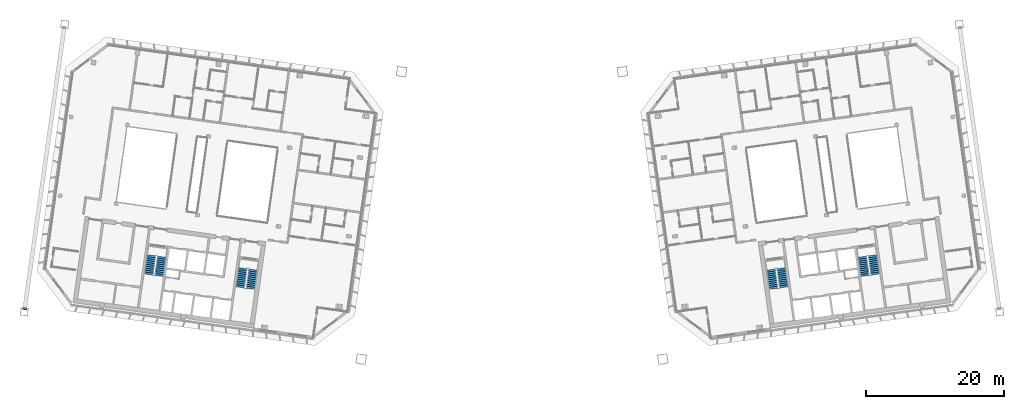
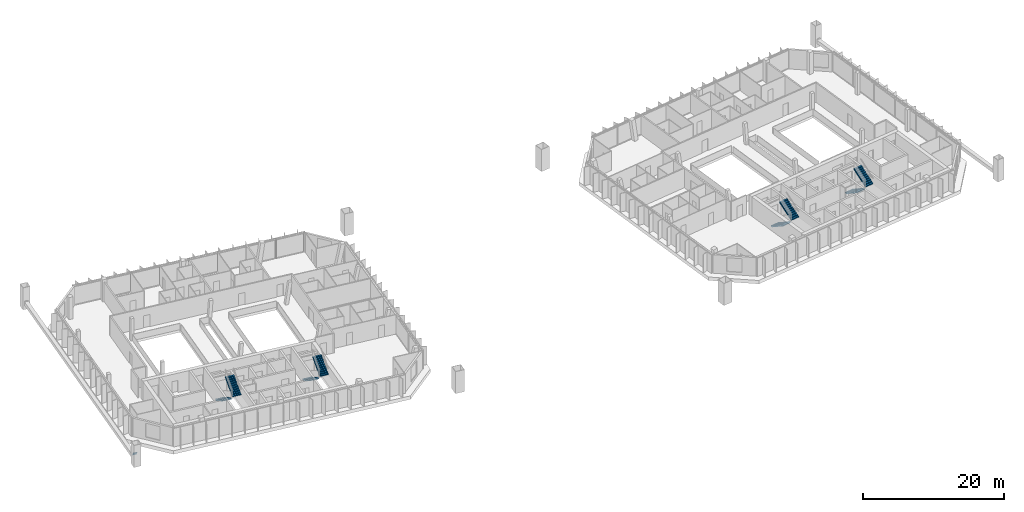
# One storey, part 22 of 26: 8 stair flights, 1 discrete accessory, 4 elements without a shape of their own.
"""IFC4 building model written with IfcOpenShell, lengths in metres."""

from ifc_helpers import new_model, si_unit, direction, frame, origin, origin_2d, place, context, subcontext, project, spatial, polyline, rectangle, outline, extrude, material, material_profile, profile_set, type_object, element, aggregate, save


model = new_model("IFC4")

# Units and contexts
model_context = context("Model", 3, precision=1e-05, world=origin(), true_north=direction((0.0, 1.0)))
body_context = subcontext(model_context, "Body", "Model", "MODEL_VIEW")
ifc_project = project(units=[si_unit("LENGTHUNIT", "METRE"), si_unit("AREAUNIT", "SQUARE_METRE"), si_unit("VOLUMEUNIT", "CUBIC_METRE"), si_unit("PLANEANGLEUNIT", "RADIAN"), si_unit("MASSUNIT", "GRAM", prefix="KILO")], contexts=[model_context])

# Site, building, storey
site_placement = place(None, origin())
site = spatial("IfcSite", under=ifc_project, at=site_placement, CompositionType="ELEMENT")
building_placement = place(site_placement, origin())
building = spatial("IfcBuilding", under=site, at=building_placement, Name="Mirante Cascada Hotel Towers", CompositionType="ELEMENT")
storey_placement = place(building_placement, frame((0.0, 0.0, 235.6)))
storey = spatial("IfcBuildingStorey", under=building, at=storey_placement, Name="L56", CompositionType="ELEMENT", Elevation=235.6)

# Stair, stair flights
ifc_material_1 = material(Name="Concrete C35/45", Category="concrete")
stair_type = type_object("IfcStairType", Name="Exit stair half-turn 1350 concrete C35/45", PredefinedType="HALF_TURN_STAIR", material=ifc_material_1)
stair_1_placement = place(storey_placement, origin())
stair_1 = element("IfcStair", 1, at=stair_1_placement, inside=storey, type_object=stair_type, Name="L56 Exit stair A", PredefinedType="HALF_TURN_STAIR")
ifc_material_2 = material(Name="Concrete C35/45", Category="concrete")
stair_flight_type = type_object("IfcStairFlightType", Name="Exit stair flight 1350 concrete C35/45", PredefinedType="STRAIGHT", material=ifc_material_2)
stair_flight_1_placement = place(storey_placement, frame((-38.9417, -11.195, 0.0), z_axis=(0.0, 0.0, 1.0), x_axis=(-0.1391731, -0.9902681, 0.0)))
stair_flight_1 = element("IfcStairFlight", 2, at=stair_flight_1_placement, type_object=stair_flight_type, Name="ST1-A flight 1", NumberOfRisers=11, NumberOfTreads=10, PredefinedType="STRAIGHT", RiserHeight=0.172727273, TreadLength=0.28, context=body_context, shape_type="SweptSolid", body=[
    extrude(outline(polyline([(0.0, 0.0), (0.0, 0.1727), (0.28, 0.1727), (0.28, 0.3455), (0.56, 0.3455), (0.56, 0.5182), (0.84, 0.5182), (0.84, 0.6909), (1.12, 0.6909), (1.12, 0.8636), (1.4, 0.8636), (1.4, 1.0364), (1.68, 1.0364), (1.68, 1.2091), (1.96, 1.2091), (1.96, 1.3818), (2.24, 1.3818), (2.24, 1.5545), (2.52, 1.5545), (2.52, 1.7273), (2.8, 1.7273), (2.8, 1.9), (2.8, 1.551), (0.2857, 0.0), (0.0, 0.0)])), frame((0.0, 0.675, 0.0), z_axis=(0.0, -1.0, 0.0), x_axis=(1.0, 0.0, 0.0)), (0.0, 0.0, 1.0), 1.35),
])
stair_flight_2_placement = place(storey_placement, frame((-37.846, -14.1765, 1.9), z_axis=(0.0, 0.0, 1.0), x_axis=(0.1391731, 0.9902681, 0.0)))
stair_flight_2 = element("IfcStairFlight", 3, at=stair_flight_2_placement, type_object=stair_flight_type, Name="ST1-A flight 2", NumberOfRisers=11, NumberOfTreads=10, PredefinedType="STRAIGHT", RiserHeight=0.172727273, TreadLength=0.28, context=body_context, shape_type="SweptSolid", body=[
    extrude(outline(polyline([(0.0, 0.0), (0.0, 0.1727), (0.28, 0.1727), (0.28, 0.3455), (0.56, 0.3455), (0.56, 0.5182), (0.84, 0.5182), (0.84, 0.6909), (1.12, 0.6909), (1.12, 0.8636), (1.4, 0.8636), (1.4, 1.0364), (1.68, 1.0364), (1.68, 1.2091), (1.96, 1.2091), (1.96, 1.3818), (2.24, 1.3818), (2.24, 1.5545), (2.52, 1.5545), (2.52, 1.7273), (2.8, 1.7273), (2.8, 1.9), (2.8, 1.551), (0.2857, 0.0), (0.0, 0.0)])), frame((0.0, 0.675, 0.0), z_axis=(0.0, -1.0, 0.0), x_axis=(1.0, 0.0, 0.0)), (0.0, 0.0, 1.0), 1.35),
])
aggregate(stair_1, [stair_flight_1, stair_flight_2])

stair_2_placement = place(storey_placement, origin())
stair_2 = element("IfcStair", 4, at=stair_2_placement, inside=storey, type_object=stair_type, Name="L56 Exit stair B", PredefinedType="HALF_TURN_STAIR")
stair_flight_3_placement = place(storey_placement, frame((-52.1618, -9.3371, 0.0), z_axis=(0.0, 0.0, 1.0), x_axis=(-0.1391731, -0.9902681, 0.0)))
stair_flight_3 = element("IfcStairFlight", 5, at=stair_flight_3_placement, type_object=stair_flight_type, Name="ST1-B flight 1", NumberOfRisers=11, NumberOfTreads=10, PredefinedType="STRAIGHT", RiserHeight=0.172727273, TreadLength=0.28, context=body_context, shape_type="SweptSolid", body=[
    extrude(outline(polyline([(0.0, 0.0), (0.0, 0.1727), (0.28, 0.1727), (0.28, 0.3455), (0.56, 0.3455), (0.56, 0.5182), (0.84, 0.5182), (0.84, 0.6909), (1.12, 0.6909), (1.12, 0.8636), (1.4, 0.8636), (1.4, 1.0364), (1.68, 1.0364), (1.68, 1.2091), (1.96, 1.2091), (1.96, 1.3818), (2.24, 1.3818), (2.24, 1.5545), (2.52, 1.5545), (2.52, 1.7273), (2.8, 1.7273), (2.8, 1.9), (2.8, 1.551), (0.2857, 0.0), (0.0, 0.0)])), frame((0.0, 0.675, 0.0), z_axis=(0.0, -1.0, 0.0), x_axis=(1.0, 0.0, 0.0)), (0.0, 0.0, 1.0), 1.35),
])
stair_flight_4_placement = place(storey_placement, frame((-51.0661, -12.3186, 1.9), z_axis=(0.0, 0.0, 1.0), x_axis=(0.1391731, 0.9902681, 0.0)))
stair_flight_4 = element("IfcStairFlight", 6, at=stair_flight_4_placement, type_object=stair_flight_type, Name="ST1-B flight 2", NumberOfRisers=11, NumberOfTreads=10, PredefinedType="STRAIGHT", RiserHeight=0.172727273, TreadLength=0.28, context=body_context, shape_type="SweptSolid", body=[
    extrude(outline(polyline([(0.0, 0.0), (0.0, 0.1727), (0.28, 0.1727), (0.28, 0.3455), (0.56, 0.3455), (0.56, 0.5182), (0.84, 0.5182), (0.84, 0.6909), (1.12, 0.6909), (1.12, 0.8636), (1.4, 0.8636), (1.4, 1.0364), (1.68, 1.0364), (1.68, 1.2091), (1.96, 1.2091), (1.96, 1.3818), (2.24, 1.3818), (2.24, 1.5545), (2.52, 1.5545), (2.52, 1.7273), (2.8, 1.7273), (2.8, 1.9), (2.8, 1.551), (0.2857, 0.0), (0.0, 0.0)])), frame((0.0, 0.675, 0.0), z_axis=(0.0, -1.0, 0.0), x_axis=(1.0, 0.0, 0.0)), (0.0, 0.0, 1.0), 1.35),
])
aggregate(stair_2, [stair_flight_3, stair_flight_4])

stair_3_placement = place(storey_placement, origin())
stair_3 = element("IfcStair", 7, at=stair_3_placement, inside=storey, type_object=stair_type, Name="L56 Exit stair A", PredefinedType="HALF_TURN_STAIR")
stair_flight_5_placement = place(storey_placement, frame((37.4563, -11.4038, 0.0), z_axis=(0.0, 0.0, 1.0), x_axis=(0.1391731, -0.9902681, 0.0)))
stair_flight_5 = element("IfcStairFlight", 8, at=stair_flight_5_placement, type_object=stair_flight_type, Name="ST2-A flight 1", NumberOfRisers=11, NumberOfTreads=10, PredefinedType="STRAIGHT", RiserHeight=0.172727273, TreadLength=0.28, context=body_context, shape_type="SweptSolid", body=[
    extrude(outline(polyline([(0.0, 0.0), (0.0, 0.1727), (0.28, 0.1727), (0.28, 0.3455), (0.56, 0.3455), (0.56, 0.5182), (0.84, 0.5182), (0.84, 0.6909), (1.12, 0.6909), (1.12, 0.8636), (1.4, 0.8636), (1.4, 1.0364), (1.68, 1.0364), (1.68, 1.2091), (1.96, 1.2091), (1.96, 1.3818), (2.24, 1.3818), (2.24, 1.5545), (2.52, 1.5545), (2.52, 1.7273), (2.8, 1.7273), (2.8, 1.9), (2.8, 1.551), (0.2857, 0.0), (0.0, 0.0)])), frame((0.0, 0.675, 0.0), z_axis=(0.0, -1.0, 0.0), x_axis=(1.0, 0.0, 0.0)), (0.0, 0.0, 1.0), 1.35),
])
stair_flight_6_placement = place(storey_placement, frame((39.3314, -13.9678, 1.9), z_axis=(0.0, 0.0, 1.0), x_axis=(-0.1391731, 0.9902681, 0.0)))
stair_flight_6 = element("IfcStairFlight", 9, at=stair_flight_6_placement, type_object=stair_flight_type, Name="ST2-A flight 2", NumberOfRisers=11, NumberOfTreads=10, PredefinedType="STRAIGHT", RiserHeight=0.172727273, TreadLength=0.28, context=body_context, shape_type="SweptSolid", body=[
    extrude(outline(polyline([(0.0, 0.0), (0.0, 0.1727), (0.28, 0.1727), (0.28, 0.3455), (0.56, 0.3455), (0.56, 0.5182), (0.84, 0.5182), (0.84, 0.6909), (1.12, 0.6909), (1.12, 0.8636), (1.4, 0.8636), (1.4, 1.0364), (1.68, 1.0364), (1.68, 1.2091), (1.96, 1.2091), (1.96, 1.3818), (2.24, 1.3818), (2.24, 1.5545), (2.52, 1.5545), (2.52, 1.7273), (2.8, 1.7273), (2.8, 1.9), (2.8, 1.551), (0.2857, 0.0), (0.0, 0.0)])), frame((0.0, 0.675, 0.0), z_axis=(0.0, -1.0, 0.0), x_axis=(1.0, 0.0, 0.0)), (0.0, 0.0, 1.0), 1.35),
])
aggregate(stair_3, [stair_flight_5, stair_flight_6])

stair_4_placement = place(storey_placement, origin())
stair_4 = element("IfcStair", 10, at=stair_4_placement, inside=storey, type_object=stair_type, Name="L56 Exit stair B", PredefinedType="HALF_TURN_STAIR")
stair_flight_7_placement = place(storey_placement, frame((50.6764, -9.5458, 0.0), z_axis=(0.0, 0.0, 1.0), x_axis=(0.1391731, -0.9902681, 0.0)))
stair_flight_7 = element("IfcStairFlight", 11, at=stair_flight_7_placement, type_object=stair_flight_type, Name="ST2-B flight 1", NumberOfRisers=11, NumberOfTreads=10, PredefinedType="STRAIGHT", RiserHeight=0.172727273, TreadLength=0.28, context=body_context, shape_type="SweptSolid", body=[
    extrude(outline(polyline([(0.0, 0.0), (0.0, 0.1727), (0.28, 0.1727), (0.28, 0.3455), (0.56, 0.3455), (0.56, 0.5182), (0.84, 0.5182), (0.84, 0.6909), (1.12, 0.6909), (1.12, 0.8636), (1.4, 0.8636), (1.4, 1.0364), (1.68, 1.0364), (1.68, 1.2091), (1.96, 1.2091), (1.96, 1.3818), (2.24, 1.3818), (2.24, 1.5545), (2.52, 1.5545), (2.52, 1.7273), (2.8, 1.7273), (2.8, 1.9), (2.8, 1.551), (0.2857, 0.0), (0.0, 0.0)])), frame((0.0, 0.675, 0.0), z_axis=(0.0, -1.0, 0.0), x_axis=(1.0, 0.0, 0.0)), (0.0, 0.0, 1.0), 1.35),
])
stair_flight_8_placement = place(storey_placement, frame((52.5515, -12.1098, 1.9), z_axis=(0.0, 0.0, 1.0), x_axis=(-0.1391731, 0.9902681, 0.0)))
stair_flight_8 = element("IfcStairFlight", 12, at=stair_flight_8_placement, type_object=stair_flight_type, Name="ST2-B flight 2", NumberOfRisers=11, NumberOfTreads=10, PredefinedType="STRAIGHT", RiserHeight=0.172727273, TreadLength=0.28, context=body_context, shape_type="SweptSolid", body=[
    extrude(outline(polyline([(0.0, 0.0), (0.0, 0.1727), (0.28, 0.1727), (0.28, 0.3455), (0.56, 0.3455), (0.56, 0.5182), (0.84, 0.5182), (0.84, 0.6909), (1.12, 0.6909), (1.12, 0.8636), (1.4, 0.8636), (1.4, 1.0364), (1.68, 1.0364), (1.68, 1.2091), (1.96, 1.2091), (1.96, 1.3818), (2.24, 1.3818), (2.24, 1.5545), (2.52, 1.5545), (2.52, 1.7273), (2.8, 1.7273), (2.8, 1.9), (2.8, 1.551), (0.2857, 0.0), (0.0, 0.0)])), frame((0.0, 0.675, 0.0), z_axis=(0.0, -1.0, 0.0), x_axis=(1.0, 0.0, 0.0)), (0.0, 0.0, 1.0), 1.35),
])
aggregate(stair_4, [stair_flight_7, stair_flight_8])

# Discrete accessory
ifc_material_3 = material(Name="Steel ASTM A572 Gr 50", Category="steel")
ifc_material_profile = material_profile(ifc_material_3, rectangle(XDim=0.6, YDim=0.6, at=origin_2d()), Name="Connection plate 600x600x25 ASTM A572 Gr 50")
ifc_profile_set = profile_set([ifc_material_profile], Name="Steel ASTM A572 Gr 50")
discrete_accessory_type = type_object("IfcDiscreteAccessoryType", Name="Connection plate 600x600x25 ASTM A572 Gr 50", PredefinedType="BRACKET", material=ifc_profile_set)
discrete_accessory_placement = place(storey_placement, frame((-70.4906, -17.0605, 1.6086), z_axis=(0.1640919, 0.8724887, 0.4602578), x_axis=(-0.98277, 0.1848329, 0.0)))
element("IfcDiscreteAccessory", 13, at=discrete_accessory_placement, inside=storey, type_object=discrete_accessory_type, Name="Connection plate MB-OL56L", PredefinedType="BRACKET", context=body_context, shape_type="SweptSolid", body=[
    extrude(rectangle(XDim=0.6, YDim=0.6, at=origin_2d()), origin(), (0.0, 0.0, 1.0), 0.025),
])

save(model, "model.ifc")
